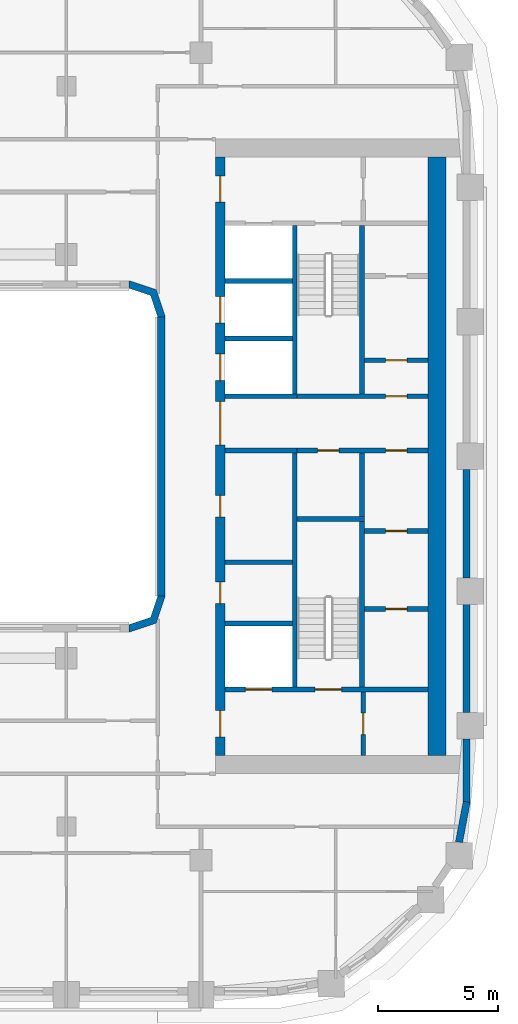
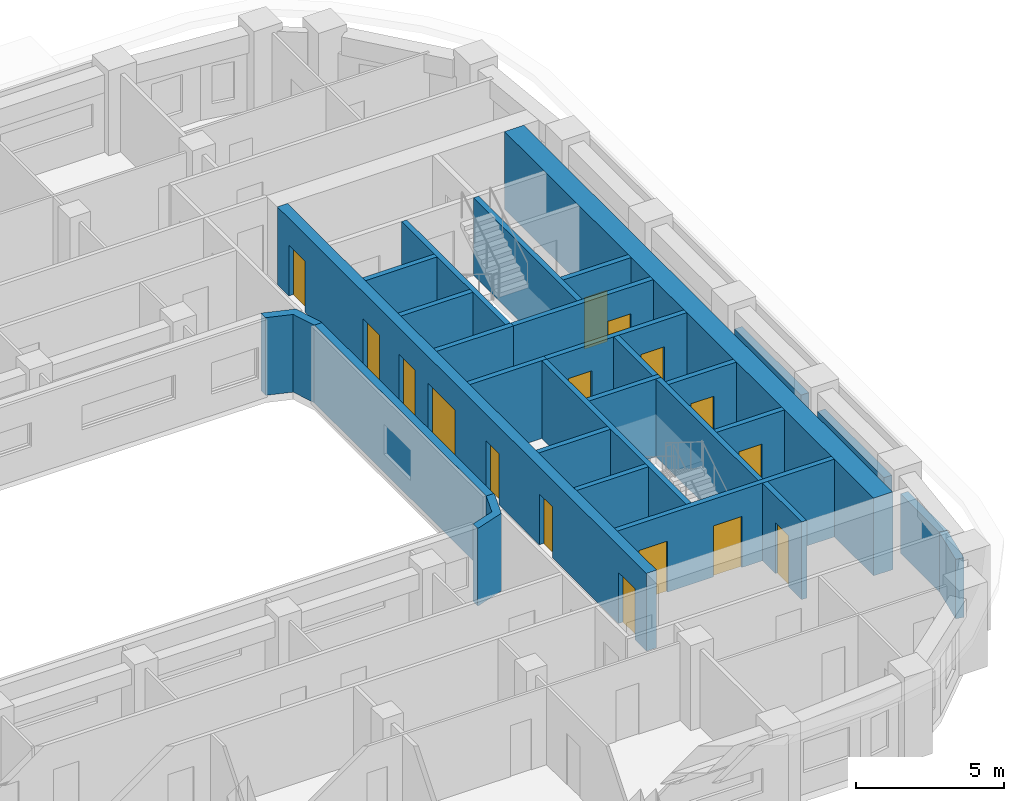
# One storey, part 6 of 22: 28 walls, 16 doors, 16 openings.
"""IFC4 building model written with IfcOpenShell, lengths in metres."""

from ifc_helpers import new_model, si_unit, direction, frame, frame_2d, origin, place, context, subcontext, project, spatial, polyline, rectangle, outline, extrude, material, layer, layer_set, type_object, element, fill, save


model = new_model("IFC4")

# Units and contexts
model_context = context("Model", 3, precision=1e-05, world=origin(), true_north=direction((0.0, 1.0)))
body_context = subcontext(model_context, "Body", "Model", "MODEL_VIEW")
ifc_project = project(units=[si_unit("LENGTHUNIT", "METRE"), si_unit("AREAUNIT", "SQUARE_METRE"), si_unit("VOLUMEUNIT", "CUBIC_METRE"), si_unit("PLANEANGLEUNIT", "RADIAN"), si_unit("MASSUNIT", "GRAM", prefix="KILO")], contexts=[model_context])

# Site, building, storey
site_placement = place(None, origin())
site = spatial("IfcSite", under=ifc_project, at=site_placement, CompositionType="ELEMENT")
building_placement = place(site_placement, origin())
building = spatial("IfcBuilding", under=site, at=building_placement, Name="Kiln Ring Residences", CompositionType="ELEMENT")
storey_placement = place(building_placement, frame((0.0, 0.0, 146.60009765625)))
storey = spatial("IfcBuildingStorey", under=building, at=storey_placement, Name="L37", CompositionType="ELEMENT", Elevation=146.60009765625)

# Wall
ifc_material_1 = material(Name="Gypsum board on steel studs", Category="steel")
ifc_layer_1 = layer(ifc_material_1, 0.199951171875)
ifc_layer_set_1 = layer_set([ifc_layer_1], Name="CORE-PARTITION-200")
wall_type_1 = type_object("IfcWallType", Name="CORE-PARTITION-200", PredefinedType="PARTITIONING", material=ifc_layer_set_1)
wall_1_placement = place(storey_placement, frame((23.5, -2.5, 0.0), z_axis=(0.0, 0.0, 1.0), x_axis=(0.0, 1.0, 0.0)))
element("IfcWall", 1, at=wall_1_placement, inside=storey, type_object=wall_type_1, Name="Core partition east L37 1", PredefinedType="PARTITIONING", context=body_context, shape_type="SweptSolid", body=[
    extrude(rectangle(XDim=2.64990234375, YDim=0.199951171875, at=frame_2d((1.324951171875, 0.0))), origin(), (0.0, 0.0, 1.0), 3.199951171875),
])

# Wall, openings, doors
wall_2_placement = place(storey_placement, frame((20.800048828125, 0.25, 0.0), z_axis=(0.0, 0.0, 1.0), x_axis=(1.0, 0.0, 0.0)))
wall_2 = element("IfcWall", 2, at=wall_2_placement, inside=storey, type_object=wall_type_1, Name="Core partition east L37 2", PredefinedType="PARTITIONING", context=body_context, shape_type="SweptSolid", body=[
    extrude(rectangle(XDim=5.449951171875, YDim=0.199951171875, at=frame_2d((2.72509765625, 0.0))), origin(), (0.0, 0.0, 1.0), 3.199951171875),
])
opening_1_placement = place(wall_2_placement, frame((0.85009765625, 0.0, 0.0)))
opening_1 = element("IfcOpeningElement", 3, at=opening_1_placement, cuts=wall_2, Name="Opening L37-CE14", PredefinedType="OPENING", context=body_context, shape_type="SweptSolid", body=[
    extrude(rectangle(XDim=0.89990234375, YDim=2.10009765625, at=frame_2d((0.449951171875, 1.050048828125))), frame((0.0, 0.10986328125, 0.0), z_axis=(0.0, -1.0, 0.0), x_axis=(1.0, 0.0, 0.0)), (0.0, 0.0, 1.0), 0.219970703125),
])
opening_2_placement = place(wall_2_placement, frame((3.675048828125, 0.0, 0.0)))
opening_2 = element("IfcOpeningElement", 4, at=opening_2_placement, cuts=wall_2, Name="Opening L37-CE17", PredefinedType="OPENING", context=body_context, shape_type="SweptSolid", body=[
    extrude(rectangle(XDim=0.89990234375, YDim=2.10009765625, at=frame_2d((0.449951171875, 1.050048828125))), frame((0.0, 0.10986328125, 0.0), z_axis=(0.0, -1.0, 0.0), x_axis=(1.0, 0.0, 0.0)), (0.0, 0.0, 1.0), 0.219970703125),
])
ifc_material_2 = material(Name="Steel door leaf", Category="steel")
door_type_1 = type_object("IfcDoorType", Name="CORE-DOOR-ROOM", OperationType="SINGLE_SWING_LEFT", PredefinedType="DOOR", material=ifc_material_2)
door_1_placement = place(opening_1_placement, origin())
door_1 = element("IfcDoor", 5, at=door_1_placement, inside=storey, type_object=door_type_1, Name="Electrical riser room L37-CE14", OperationType="SINGLE_SWING_LEFT", OverallHeight=2.10009765625, OverallWidth=0.89990234375, PredefinedType="DOOR", context=body_context, shape_type="SweptSolid", body=[
    extrude(rectangle(XDim=0.89990234375, YDim=2.10009765625, at=frame_2d((0.449951171875, 1.050048828125))), frame((0.0, 0.02490234375, 0.0), z_axis=(0.0, -1.0, 0.0), x_axis=(1.0, 0.0, 0.0)), (0.0, 0.0, 1.0), 0.050048828125),
])
fill(opening_1, door_1)
door_2_placement = place(opening_2_placement, origin())
door_2 = element("IfcDoor", 6, at=door_2_placement, inside=storey, type_object=door_type_1, Name="Plant room L37-CE17", OperationType="SINGLE_SWING_RIGHT", OverallHeight=2.10009765625, OverallWidth=0.89990234375, PredefinedType="DOOR", context=body_context, shape_type="SweptSolid", body=[
    extrude(rectangle(XDim=0.89990234375, YDim=2.10009765625, at=frame_2d((0.449951171875, 1.050048828125))), frame((0.0, 0.02490234375, 0.0), z_axis=(0.0, -1.0, 0.0), x_axis=(1.0, 0.0, 0.0)), (0.0, 0.0, 1.0), 0.050048828125),
])
fill(opening_2, door_2)

# Wall
wall_3_placement = place(storey_placement, frame((17.800048828125, -4.39990234375, 0.0), z_axis=(0.0, 0.0, 1.0), x_axis=(1.0, 0.0, 0.0)))
element("IfcWall", 7, at=wall_3_placement, inside=storey, type_object=wall_type_1, Name="Core partition east L37 3", PredefinedType="PARTITIONING", context=body_context, shape_type="SweptSolid", body=[
    extrude(rectangle(XDim=2.800048828125, YDim=0.199951171875, at=frame_2d((1.39990234375, 0.0))), origin(), (0.0, 0.0, 1.0), 3.199951171875),
])

# Wall, opening, door
wall_4_placement = place(storey_placement, frame((23.550048828125, -12.449951171875, 0.0), z_axis=(0.0, 0.0, 1.0), x_axis=(0.0, 1.0, 0.0)))
wall_4 = element("IfcWall", 8, at=wall_4_placement, inside=storey, type_object=wall_type_1, Name="Core partition east L37 5", PredefinedType="PARTITIONING", context=body_context, shape_type="SweptSolid", body=[
    extrude(rectangle(XDim=2.64990234375, YDim=0.199951171875, at=frame_2d((1.324951171875, 0.0))), origin(), (0.0, 0.0, 1.0), 3.199951171875),
])
opening_3_placement = place(wall_4_placement, frame((0.875, 0.0, 0.0)))
opening_3 = element("IfcOpeningElement", 9, at=opening_3_placement, cuts=wall_4, Name="Opening L37-CE10", PredefinedType="OPENING", context=body_context, shape_type="SweptSolid", body=[
    extrude(rectangle(XDim=0.89990234375, YDim=2.10009765625, at=frame_2d((0.449951171875, 1.050048828125))), frame((0.0, 0.10986328125, 0.0), z_axis=(0.0, -1.0, 0.0), x_axis=(1.0, 0.0, 0.0)), (0.0, 0.0, 1.0), 0.219970703125),
])
door_3_placement = place(opening_3_placement, origin())
door_3 = element("IfcDoor", 10, at=door_3_placement, inside=storey, type_object=door_type_1, Name="Store L37-CE10", OperationType="SINGLE_SWING_LEFT", OverallHeight=2.10009765625, OverallWidth=0.89990234375, PredefinedType="DOOR", context=body_context, shape_type="SweptSolid", body=[
    extrude(rectangle(XDim=0.89990234375, YDim=2.10009765625, at=frame_2d((0.449951171875, 1.050048828125))), frame((0.0, 0.02490234375, 0.0), z_axis=(0.0, -1.0, 0.0), x_axis=(1.0, 0.0, 0.0)), (0.0, 0.0, 1.0), 0.050048828125),
])
fill(opening_3, door_3)

wall_5_placement = place(storey_placement, frame((23.60009765625, -6.35009765625, 0.0), z_axis=(0.0, 0.0, 1.0), x_axis=(1.0, 0.0, 0.0)))
wall_5 = element("IfcWall", 11, at=wall_5_placement, inside=storey, type_object=wall_type_1, Name="Core partition east L37 6", PredefinedType="PARTITIONING", context=body_context, shape_type="SweptSolid", body=[
    extrude(rectangle(XDim=2.64990234375, YDim=0.199951171875, at=frame_2d((1.324951171875, 0.0))), origin(), (0.0, 0.0, 1.0), 3.199951171875),
])
opening_4_placement = place(wall_5_placement, frame((0.875, 0.0, 0.0)))
opening_4 = element("IfcOpeningElement", 12, at=opening_4_placement, cuts=wall_5, Name="Opening L37-CE15", PredefinedType="OPENING", context=body_context, shape_type="SweptSolid", body=[
    extrude(rectangle(XDim=0.89990234375, YDim=2.10009765625, at=frame_2d((0.449951171875, 1.050048828125))), frame((0.0, 0.10986328125, 0.0), z_axis=(0.0, -1.0, 0.0), x_axis=(1.0, 0.0, 0.0)), (0.0, 0.0, 1.0), 0.219970703125),
])
door_4_placement = place(opening_4_placement, origin())
door_4 = element("IfcDoor", 13, at=door_4_placement, inside=storey, type_object=door_type_1, Name="Meter room L37-CE15", OperationType="SINGLE_SWING_LEFT", OverallHeight=2.10009765625, OverallWidth=0.89990234375, PredefinedType="DOOR", context=body_context, shape_type="SweptSolid", body=[
    extrude(rectangle(XDim=0.89990234375, YDim=2.10009765625, at=frame_2d((0.449951171875, 1.050048828125))), frame((0.0, 0.02490234375, 0.0), z_axis=(0.0, -1.0, 0.0), x_axis=(1.0, 0.0, 0.0)), (0.0, 0.0, 1.0), 0.050048828125),
])
fill(opening_4, door_4)

wall_6_placement = place(storey_placement, frame((23.60009765625, -3.10009765625, 0.0), z_axis=(0.0, 0.0, 1.0), x_axis=(1.0, 0.0, 0.0)))
wall_6 = element("IfcWall", 14, at=wall_6_placement, inside=storey, type_object=wall_type_1, Name="Core partition east L37 7", PredefinedType="PARTITIONING", context=body_context, shape_type="SweptSolid", body=[
    extrude(rectangle(XDim=2.64990234375, YDim=0.199951171875, at=frame_2d((1.324951171875, 0.0))), origin(), (0.0, 0.0, 1.0), 3.199951171875),
])
opening_5_placement = place(wall_6_placement, frame((0.875, 0.0, 0.0)))
opening_5 = element("IfcOpeningElement", 15, at=opening_5_placement, cuts=wall_6, Name="Opening L37-CE16", PredefinedType="OPENING", context=body_context, shape_type="SweptSolid", body=[
    extrude(rectangle(XDim=0.89990234375, YDim=2.10009765625, at=frame_2d((0.449951171875, 1.050048828125))), frame((0.0, 0.10986328125, 0.0), z_axis=(0.0, -1.0, 0.0), x_axis=(1.0, 0.0, 0.0)), (0.0, 0.0, 1.0), 0.219970703125),
])
door_5_placement = place(opening_5_placement, origin())
door_5 = element("IfcDoor", 16, at=door_5_placement, inside=storey, type_object=door_type_1, Name="Plant room L37-CE16", OperationType="SINGLE_SWING_RIGHT", OverallHeight=2.10009765625, OverallWidth=0.89990234375, PredefinedType="DOOR", context=body_context, shape_type="SweptSolid", body=[
    extrude(rectangle(XDim=0.89990234375, YDim=2.10009765625, at=frame_2d((0.449951171875, 1.050048828125))), frame((0.0, 0.02490234375, 0.0), z_axis=(0.0, -1.0, 0.0), x_axis=(1.0, 0.0, 0.0)), (0.0, 0.0, 1.0), 0.050048828125),
])
fill(opening_5, door_5)

wall_7_placement = place(storey_placement, frame((23.60009765625, 4.0, 0.0), z_axis=(0.0, 0.0, 1.0), x_axis=(1.0, 0.0, 0.0)))
wall_7 = element("IfcWall", 17, at=wall_7_placement, inside=storey, type_object=wall_type_1, Name="Core partition east L37 8", PredefinedType="PARTITIONING", context=body_context, shape_type="SweptSolid", body=[
    extrude(rectangle(XDim=2.64990234375, YDim=0.199951171875, at=frame_2d((1.324951171875, 0.0))), origin(), (0.0, 0.0, 1.0), 3.199951171875),
])
opening_6_placement = place(wall_7_placement, frame((0.875, 0.0, 0.0)))
opening_6 = element("IfcOpeningElement", 18, at=opening_6_placement, cuts=wall_7, Name="Opening L37-CE18", PredefinedType="OPENING", context=body_context, shape_type="SweptSolid", body=[
    extrude(rectangle(XDim=0.89990234375, YDim=2.10009765625, at=frame_2d((0.449951171875, 1.050048828125))), frame((0.0, 0.10986328125, 0.0), z_axis=(0.0, -1.0, 0.0), x_axis=(1.0, 0.0, 0.0)), (0.0, 0.0, 1.0), 0.219970703125),
])
door_6_placement = place(opening_6_placement, origin())
door_6 = element("IfcDoor", 19, at=door_6_placement, inside=storey, type_object=door_type_1, Name="Electrical plant room L37-CE18", OperationType="SINGLE_SWING_RIGHT", OverallHeight=2.10009765625, OverallWidth=0.89990234375, PredefinedType="DOOR", context=body_context, shape_type="SweptSolid", body=[
    extrude(rectangle(XDim=0.89990234375, YDim=2.10009765625, at=frame_2d((0.449951171875, 1.050048828125))), frame((0.0, 0.02490234375, 0.0), z_axis=(0.0, -1.0, 0.0), x_axis=(1.0, 0.0, 0.0)), (0.0, 0.0, 1.0), 0.050048828125),
])
fill(opening_6, door_6)

# Walls
ifc_material_3 = material(Name="Gypsum shaft wall system")
ifc_layer_2 = layer(ifc_material_3, 0.199951171875)
ifc_layer_set_2 = layer_set([ifc_layer_2], Name="CORE-SHAFT-WALL-200")
wall_type_2 = type_object("IfcWallType", Name="CORE-SHAFT-WALL-200", PredefinedType="PARTITIONING", material=ifc_layer_set_2)
wall_8_placement = place(storey_placement, frame((17.800048828125, -6.949951171875, 0.0), z_axis=(0.0, 0.0, 1.0), x_axis=(1.0, 0.0, 0.0)))
element("IfcWall", 20, at=wall_8_placement, inside=storey, type_object=wall_type_2, Name="Core partition east L37 10", PredefinedType="PARTITIONING", context=body_context, shape_type="SweptSolid", body=[
    extrude(rectangle(XDim=2.800048828125, YDim=0.199951171875, at=frame_2d((1.39990234375, 0.0))), origin(), (0.0, 0.0, 1.0), 3.199951171875),
])
for number, where, z_axis, x_axis, name in (
    (21, (17.800048828125, 0.25, 0.0), (0.0, 0.0, 1.0), (1.0, 0.0, 0.0), "Core partition east L37 11"),
    (22, (17.800048828125, 2.5, 0.0), (0.0, 0.0, 1.0), (1.0, 0.0, 0.0), "Core partition east L37 12"),
):
    element("IfcWall", number, at=place(storey_placement, frame(where, z_axis=z_axis, x_axis=x_axis)), inside=storey, type_object=wall_type_2, Name=name, PredefinedType="PARTITIONING", context=body_context, shape_type="SweptSolid", body=[
        extrude(rectangle(XDim=3.0, YDim=0.199951171875, at=frame_2d((1.5, 0.0))), origin(), (0.0, 0.0, 1.0), 3.199951171875),
    ])
for number, where, z_axis, x_axis, name in (
    (23, (17.800048828125, 4.89990234375, 0.0), (0.0, 0.0, 1.0), (1.0, 0.0, 0.0), "Core partition east L37 13"),
    (24, (17.800048828125, 7.300048828125, 0.0), (0.0, 0.0, 1.0), (1.0, 0.0, 0.0), "Core partition east L37 14"),
):
    element("IfcWall", number, at=place(storey_placement, frame(where, z_axis=z_axis, x_axis=x_axis)), inside=storey, type_object=wall_type_2, Name=name, PredefinedType="PARTITIONING", context=body_context, shape_type="SweptSolid", body=[
        extrude(rectangle(XDim=2.800048828125, YDim=0.199951171875, at=frame_2d((1.39990234375, 0.0))), origin(), (0.0, 0.0, 1.0), 3.199951171875),
    ])
ifc_material_4 = material(Name="Concrete C40/50", Category="concrete")
ifc_layer_3 = layer(ifc_material_4, 0.199951171875)
ifc_layer_set_3 = layer_set([ifc_layer_3], Name="CORE-WALL-RC200")
wall_type_3 = type_object("IfcWallType", Name="CORE-WALL-RC200", PredefinedType="SHEAR", material=ifc_layer_set_3)
wall_9_placement = place(storey_placement, frame((20.699951171875, 2.60009765625, 0.0), z_axis=(0.0, 0.0, 1.0), x_axis=(0.0, 1.0, 0.0)))
element("IfcWall", 25, at=wall_9_placement, inside=storey, type_object=wall_type_3, Name="Core wall east L37 1", PredefinedType="SHEAR", context=body_context, shape_type="SweptSolid", body=[
    extrude(rectangle(XDim=7.0, YDim=0.199951171875, at=frame_2d((3.5, 0.0))), origin(), (0.0, 0.0, 1.0), 3.199951171875),
])
wall_10_placement = place(storey_placement, frame((20.699951171875, -9.60009765625, 0.0), z_axis=(0.0, 0.0, 1.0), x_axis=(0.0, 1.0, 0.0)))
element("IfcWall", 26, at=wall_10_placement, inside=storey, type_object=wall_type_3, Name="Core wall east L37 2", PredefinedType="SHEAR", context=body_context, shape_type="SweptSolid", body=[
    extrude(rectangle(XDim=9.75, YDim=0.199951171875, at=frame_2d((4.875, 0.0))), origin(), (0.0, 0.0, 1.0), 3.199951171875),
])

# Wall, opening, door
wall_11_placement = place(storey_placement, frame((20.800048828125, 2.5, 0.0), z_axis=(0.0, 0.0, 1.0), x_axis=(1.0, 0.0, 0.0)))
wall_11 = element("IfcWall", 27, at=wall_11_placement, inside=storey, type_object=wall_type_3, Name="Core wall east L37 3", PredefinedType="SHEAR", context=body_context, shape_type="SweptSolid", body=[
    extrude(rectangle(XDim=5.449951171875, YDim=0.199951171875, at=frame_2d((2.72509765625, 0.0))), origin(), (0.0, 0.0, 1.0), 3.199951171875),
])
opening_7_placement = place(wall_11_placement, frame((3.675048828125, 0.0, 0.0)))
opening_7 = element("IfcOpeningElement", 28, at=opening_7_placement, cuts=wall_11, Name="Opening L37-CE20", PredefinedType="OPENING", context=body_context, shape_type="SweptSolid", body=[
    extrude(rectangle(XDim=0.89990234375, YDim=2.10009765625, at=frame_2d((0.449951171875, 1.050048828125))), frame((0.0, 0.10986328125, 0.0), z_axis=(0.0, -1.0, 0.0), x_axis=(1.0, 0.0, 0.0)), (0.0, 0.0, 1.0), 0.219970703125),
])
door_7_placement = place(opening_7_placement, origin())
door_7 = element("IfcDoor", 29, at=door_7_placement, inside=storey, type_object=door_type_1, Name="Comms room L37-CE20", OperationType="SINGLE_SWING_RIGHT", OverallHeight=2.10009765625, OverallWidth=0.89990234375, PredefinedType="DOOR", context=body_context, shape_type="SweptSolid", body=[
    extrude(rectangle(XDim=0.89990234375, YDim=2.10009765625, at=frame_2d((0.449951171875, 1.050048828125))), frame((0.0, 0.02490234375, 0.0), z_axis=(0.0, -1.0, 0.0), x_axis=(1.0, 0.0, 0.0)), (0.0, 0.0, 1.0), 0.050048828125),
])
fill(opening_7, door_7)

# Wall, openings, doors
wall_12_placement = place(storey_placement, frame((17.800048828125, -9.699951171875, 0.0), z_axis=(0.0, 0.0, 1.0), x_axis=(1.0, 0.0, 0.0)))
wall_12 = element("IfcWall", 30, at=wall_12_placement, inside=storey, type_object=wall_type_3, Name="Core wall east L37 8", PredefinedType="SHEAR", context=body_context, shape_type="SweptSolid", body=[
    extrude(rectangle(XDim=8.449951171875, YDim=0.199951171875, at=frame_2d((4.22509765625, 0.0))), origin(), (0.0, 0.0, 1.0), 3.199951171875),
])
opening_8_placement = place(wall_12_placement, frame((0.85009765625, 0.0, 0.0)))
opening_8 = element("IfcOpeningElement", 31, at=opening_8_placement, cuts=wall_12, Name="Opening L37-CE01", PredefinedType="OPENING", context=body_context, shape_type="SweptSolid", body=[
    extrude(rectangle(XDim=1.10009765625, YDim=2.10009765625, at=frame_2d((0.550048828125, 1.050048828125))), frame((0.0, 0.10986328125, 0.0), z_axis=(0.0, -1.0, 0.0), x_axis=(1.0, 0.0, 0.0)), (0.0, 0.0, 1.0), 0.219970703125),
])
opening_9_placement = place(wall_12_placement, frame((3.75, 0.0, 0.0)))
opening_9 = element("IfcOpeningElement", 32, at=opening_9_placement, cuts=wall_12, Name="Opening L37-CE12", PredefinedType="OPENING", context=body_context, shape_type="SweptSolid", body=[
    extrude(rectangle(XDim=1.10009765625, YDim=2.10009765625, at=frame_2d((0.550048828125, 1.050048828125))), frame((0.0, 0.10986328125, 0.0), z_axis=(0.0, -1.0, 0.0), x_axis=(1.0, 0.0, 0.0)), (0.0, 0.0, 1.0), 0.219970703125),
])
ifc_material_5 = material(Name="Steel door leaf", Category="steel")
door_type_2 = type_object("IfcDoorType", Name="CORE-DOOR-LD", OperationType="DOUBLE_DOOR_SLIDING", PredefinedType="DOOR", material=ifc_material_5)
door_8_placement = place(opening_8_placement, origin())
door_8 = element("IfcDoor", 33, at=door_8_placement, inside=storey, type_object=door_type_2, Name="LD E-SV L37-CE01", OperationType="DOUBLE_DOOR_SLIDING", OverallHeight=2.10009765625, OverallWidth=1.10009765625, PredefinedType="DOOR", context=body_context, shape_type="SweptSolid", body=[
    extrude(rectangle(XDim=1.10009765625, YDim=2.10009765625, at=frame_2d((0.550048828125, 1.050048828125))), frame((0.0, 0.02490234375, 0.0), z_axis=(0.0, -1.0, 0.0), x_axis=(1.0, 0.0, 0.0)), (0.0, 0.0, 1.0), 0.050048828125),
])
fill(opening_8, door_8)
ifc_material_6 = material(Name="Steel door leaf", Category="steel")
door_type_3 = type_object("IfcDoorType", Name="CORE-DOOR-STAIR", OperationType="SINGLE_SWING_LEFT", PredefinedType="DOOR", material=ifc_material_6)
door_9_placement = place(opening_9_placement, origin())
door_9 = element("IfcDoor", 34, at=door_9_placement, inside=storey, type_object=door_type_3, Name="Stair E-STS L37-CE12", OperationType="SINGLE_SWING_RIGHT", OverallHeight=2.10009765625, OverallWidth=1.10009765625, PredefinedType="DOOR", context=body_context, shape_type="SweptSolid", body=[
    extrude(rectangle(XDim=1.10009765625, YDim=2.10009765625, at=frame_2d((0.550048828125, 1.050048828125))), frame((0.0, 0.02490234375, 0.0), z_axis=(0.0, -1.0, 0.0), x_axis=(1.0, 0.0, 0.0)), (0.0, 0.0, 1.0), 0.050048828125),
])
fill(opening_9, door_9)

# Walls
wall_13_placement = place(storey_placement, frame((23.5, 2.60009765625, 0.0), z_axis=(0.0, 0.0, 1.0), x_axis=(0.0, 1.0, 0.0)))
element("IfcWall", 35, at=wall_13_placement, inside=storey, type_object=wall_type_3, Name="Core wall east L37 10", PredefinedType="SHEAR", context=body_context, shape_type="SweptSolid", body=[
    extrude(rectangle(XDim=7.0, YDim=0.199951171875, at=frame_2d((3.5, 0.0))), origin(), (0.0, 0.0, 1.0), 3.199951171875),
])
wall_14_placement = place(storey_placement, frame((23.5, -9.60009765625, 0.0), z_axis=(0.0, 0.0, 1.0), x_axis=(0.0, 1.0, 0.0)))
element("IfcWall", 36, at=wall_14_placement, inside=storey, type_object=wall_type_3, Name="Core wall east L37 11", PredefinedType="SHEAR", context=body_context, shape_type="SweptSolid", body=[
    extrude(rectangle(XDim=6.900146484375, YDim=0.199951171875, at=frame_2d((3.4501953125, 0.0))), origin(), (0.0, 0.0, 1.0), 3.199951171875),
])
wall_15_placement = place(storey_placement, frame((20.800048828125, -2.60009765625, 0.0), z_axis=(0.0, 0.0, 1.0), x_axis=(1.0, 0.0, 0.0)))
element("IfcWall", 37, at=wall_15_placement, inside=storey, type_object=wall_type_3, Name="Core wall east L37 12", PredefinedType="SHEAR", context=body_context, shape_type="SweptSolid", body=[
    extrude(rectangle(XDim=2.800048828125, YDim=0.199951171875, at=frame_2d((1.39990234375, 0.0))), origin(), (0.0, 0.0, 1.0), 3.199951171875),
])

# Wall, openings, doors
ifc_material_7 = material(Name="Concrete C60/75", Category="concrete")
ifc_layer_4 = layer(ifc_material_7, 0.39990234375)
ifc_layer_set_4 = layer_set([ifc_layer_4], Name="CORE-WALL-RC400")
wall_type_4 = type_object("IfcWallType", Name="CORE-WALL-RC400", PredefinedType="SHEAR", material=ifc_layer_set_4)
wall_16_placement = place(storey_placement, frame((17.60009765625, -12.449951171875, 0.0), z_axis=(0.0, 0.0, 1.0), x_axis=(0.0, 1.0, 0.0)))
wall_16 = element("IfcWall", 38, at=wall_16_placement, inside=storey, type_object=wall_type_4, Name="Core wall east L37 6", PredefinedType="SHEAR", context=body_context, shape_type="SweptSolid", body=[
    extrude(rectangle(XDim=24.89990234375, YDim=0.39990234375, at=frame_2d((12.449951171875, 0.0))), origin(), (0.0, 0.0, 1.0), 3.199951171875),
])
opening_10_placement = place(wall_16_placement, frame((6.324951171875, 0.0, 0.0)))
opening_10 = element("IfcOpeningElement", 39, at=opening_10_placement, cuts=wall_16, Name="Opening L37-CE02", PredefinedType="OPENING", context=body_context, shape_type="SweptSolid", body=[
    extrude(rectangle(XDim=0.89990234375, YDim=2.10009765625, at=frame_2d((0.449951171875, 1.050048828125))), frame((0.0, 0.2099609375, 0.0), z_axis=(0.0, -1.0, 0.0), x_axis=(1.0, 0.0, 0.0)), (0.0, 0.0, 1.0), 0.419921875),
])
opening_11_placement = place(wall_16_placement, frame((9.925048828125, 0.0, 0.0)))
opening_11 = element("IfcOpeningElement", 40, at=opening_11_placement, cuts=wall_16, Name="Opening L37-CE03", PredefinedType="OPENING", context=body_context, shape_type="SweptSolid", body=[
    extrude(rectangle(XDim=0.89990234375, YDim=2.10009765625, at=frame_2d((0.449951171875, 1.050048828125))), frame((0.0, 0.2099609375, 0.0), z_axis=(0.0, -1.0, 0.0), x_axis=(1.0, 0.0, 0.0)), (0.0, 0.0, 1.0), 0.419921875),
])
opening_12_placement = place(wall_16_placement, frame((15.60009765625, 0.0, 0.0)))
opening_12 = element("IfcOpeningElement", 41, at=opening_12_placement, cuts=wall_16, Name="Opening L37-CE04", PredefinedType="OPENING", context=body_context, shape_type="SweptSolid", body=[
    extrude(rectangle(XDim=1.10009765625, YDim=2.10009765625, at=frame_2d((0.550048828125, 1.050048828125))), frame((0.0, 0.2099609375, 0.0), z_axis=(0.0, -1.0, 0.0), x_axis=(1.0, 0.0, 0.0)), (0.0, 0.0, 1.0), 0.419921875),
])
opening_13_placement = place(wall_16_placement, frame((18.0, 0.0, 0.0)))
opening_13 = element("IfcOpeningElement", 42, at=opening_13_placement, cuts=wall_16, Name="Opening L37-CE05", PredefinedType="OPENING", context=body_context, shape_type="SweptSolid", body=[
    extrude(rectangle(XDim=1.10009765625, YDim=2.10009765625, at=frame_2d((0.550048828125, 1.050048828125))), frame((0.0, 0.2099609375, 0.0), z_axis=(0.0, -1.0, 0.0), x_axis=(1.0, 0.0, 0.0)), (0.0, 0.0, 1.0), 0.419921875),
])
opening_14_placement = place(wall_16_placement, frame((23.02490234375, 0.0, 0.0)))
opening_14 = element("IfcOpeningElement", 43, at=opening_14_placement, cuts=wall_16, Name="Opening L37-CE07", PredefinedType="OPENING", context=body_context, shape_type="SweptSolid", body=[
    extrude(rectangle(XDim=1.10009765625, YDim=2.10009765625, at=frame_2d((0.550048828125, 1.050048828125))), frame((0.0, 0.2099609375, 0.0), z_axis=(0.0, -1.0, 0.0), x_axis=(1.0, 0.0, 0.0)), (0.0, 0.0, 1.0), 0.419921875),
])
opening_15_placement = place(wall_16_placement, frame((0.77490234375, 0.0, 0.0)))
opening_15 = element("IfcOpeningElement", 44, at=opening_15_placement, cuts=wall_16, Name="Opening L37-CE08", PredefinedType="OPENING", context=body_context, shape_type="SweptSolid", body=[
    extrude(rectangle(XDim=1.10009765625, YDim=2.10009765625, at=frame_2d((0.550048828125, 1.050048828125))), frame((0.0, 0.2099609375, 0.0), z_axis=(0.0, -1.0, 0.0), x_axis=(1.0, 0.0, 0.0)), (0.0, 0.0, 1.0), 0.419921875),
])
opening_16_placement = place(wall_16_placement, frame((12.925048828125, 0.0, 0.0)))
opening_16 = element("IfcOpeningElement", 45, at=opening_16_placement, cuts=wall_16, Name="Opening L37-CE13", PredefinedType="OPENING", context=body_context, shape_type="SweptSolid", body=[
    extrude(rectangle(XDim=1.800048828125, YDim=2.10009765625, at=frame_2d((0.89990234375, 1.050048828125))), frame((0.0, 0.2099609375, 0.0), z_axis=(0.0, -1.0, 0.0), x_axis=(1.0, 0.0, 0.0)), (0.0, 0.0, 1.0), 0.419921875),
])
door_10_placement = place(opening_12_placement, origin())
door_10 = element("IfcDoor", 46, at=door_10_placement, inside=storey, type_object=door_type_2, Name="LD E-M1 L37-CE04", OperationType="DOUBLE_DOOR_SLIDING", OverallHeight=2.10009765625, OverallWidth=1.10009765625, PredefinedType="DOOR", context=body_context, shape_type="SweptSolid", body=[
    extrude(rectangle(XDim=1.10009765625, YDim=2.10009765625, at=frame_2d((0.550048828125, 1.050048828125))), frame((0.0, 0.02490234375, 0.0), z_axis=(0.0, -1.0, 0.0), x_axis=(1.0, 0.0, 0.0)), (0.0, 0.0, 1.0), 0.050048828125),
])
fill(opening_12, door_10)
door_11_placement = place(opening_13_placement, origin())
door_11 = element("IfcDoor", 47, at=door_11_placement, inside=storey, type_object=door_type_2, Name="LD E-M2 L37-CE05", OperationType="DOUBLE_DOOR_SLIDING", OverallHeight=2.10009765625, OverallWidth=1.10009765625, PredefinedType="DOOR", context=body_context, shape_type="SweptSolid", body=[
    extrude(rectangle(XDim=1.10009765625, YDim=2.10009765625, at=frame_2d((0.550048828125, 1.050048828125))), frame((0.0, 0.02490234375, 0.0), z_axis=(0.0, -1.0, 0.0), x_axis=(1.0, 0.0, 0.0)), (0.0, 0.0, 1.0), 0.050048828125),
])
fill(opening_13, door_11)
ifc_material_8 = material(Name="Steel door leaf", Category="steel")
door_type_4 = type_object("IfcDoorType", Name="CORE-DOOR-LOBBY", OperationType="SINGLE_SWING_LEFT", PredefinedType="DOOR", material=ifc_material_8)
door_12_placement = place(opening_14_placement, origin())
door_12 = element("IfcDoor", 48, at=door_12_placement, inside=storey, type_object=door_type_4, Name="FFL L37-CE07", OperationType="SINGLE_SWING_LEFT", OverallHeight=2.10009765625, OverallWidth=1.10009765625, PredefinedType="DOOR", context=body_context, shape_type="SweptSolid", body=[
    extrude(rectangle(XDim=1.10009765625, YDim=2.10009765625, at=frame_2d((0.550048828125, 1.050048828125))), frame((0.0, 0.02490234375, 0.0), z_axis=(0.0, -1.0, 0.0), x_axis=(1.0, 0.0, 0.0)), (0.0, 0.0, 1.0), 0.050048828125),
])
fill(opening_14, door_12)
door_13_placement = place(opening_15_placement, origin())
door_13 = element("IfcDoor", 49, at=door_13_placement, inside=storey, type_object=door_type_4, Name="SVL L37-CE08", OperationType="SINGLE_SWING_RIGHT", OverallHeight=2.10009765625, OverallWidth=1.10009765625, PredefinedType="DOOR", context=body_context, shape_type="SweptSolid", body=[
    extrude(rectangle(XDim=1.10009765625, YDim=2.10009765625, at=frame_2d((0.550048828125, 1.050048828125))), frame((0.0, 0.02490234375, 0.0), z_axis=(0.0, -1.0, 0.0), x_axis=(1.0, 0.0, 0.0)), (0.0, 0.0, 1.0), 0.050048828125),
])
fill(opening_15, door_13)
ifc_material_9 = material(Name="Steel door leaf", Category="steel")
door_type_5 = type_object("IfcDoorType", Name="CORE-DOOR-PASS", OperationType="DOUBLE_DOOR_SINGLE_SWING", PredefinedType="DOOR", material=ifc_material_9)
door_14_placement = place(opening_16_placement, origin())
door_14 = element("IfcDoor", 50, at=door_14_placement, inside=storey, type_object=door_type_5, Name="Core passage L37-CE13", OperationType="DOUBLE_DOOR_SINGLE_SWING", OverallHeight=2.10009765625, OverallWidth=1.800048828125, PredefinedType="DOOR", context=body_context, shape_type="SweptSolid", body=[
    extrude(rectangle(XDim=1.800048828125, YDim=2.10009765625, at=frame_2d((0.89990234375, 1.050048828125))), frame((0.0, 0.02490234375, 0.0), z_axis=(0.0, -1.0, 0.0), x_axis=(1.0, 0.0, 0.0)), (0.0, 0.0, 1.0), 0.050048828125),
])
fill(opening_16, door_14)
door_15_placement = place(opening_10_placement, origin())
door_15 = element("IfcDoor", 51, at=door_15_placement, inside=storey, type_object=door_type_1, Name="Goods store L37-CE02", OperationType="SINGLE_SWING_LEFT", OverallHeight=2.10009765625, OverallWidth=0.89990234375, PredefinedType="DOOR", context=body_context, shape_type="SweptSolid", body=[
    extrude(rectangle(XDim=0.89990234375, YDim=2.10009765625, at=frame_2d((0.449951171875, 1.050048828125))), frame((0.0, 0.02490234375, 0.0), z_axis=(0.0, -1.0, 0.0), x_axis=(1.0, 0.0, 0.0)), (0.0, 0.0, 1.0), 0.050048828125),
])
fill(opening_10, door_15)
door_16_placement = place(opening_11_placement, origin())
door_16 = element("IfcDoor", 52, at=door_16_placement, inside=storey, type_object=door_type_1, Name="Storage room L37-CE03", OperationType="SINGLE_SWING_RIGHT", OverallHeight=2.10009765625, OverallWidth=0.89990234375, PredefinedType="DOOR", context=body_context, shape_type="SweptSolid", body=[
    extrude(rectangle(XDim=0.89990234375, YDim=2.10009765625, at=frame_2d((0.449951171875, 1.050048828125))), frame((0.0, 0.02490234375, 0.0), z_axis=(0.0, -1.0, 0.0), x_axis=(1.0, 0.0, 0.0)), (0.0, 0.0, 1.0), 0.050048828125),
])
fill(opening_11, door_16)

# Walls
ifc_material_10 = material(Name="Concrete C60/75", Category="concrete")
ifc_layer_5 = layer(ifc_material_10, 0.75)
ifc_layer_set_5 = layer_set([ifc_layer_5], Name="CORE-WALL-RC750")
wall_type_5 = type_object("IfcWallType", Name="CORE-WALL-RC750", PredefinedType="SHEAR", material=ifc_layer_set_5)
wall_17_placement = place(storey_placement, frame((26.625, -12.449951171875, 0.0), z_axis=(0.0, 0.0, 1.0), x_axis=(0.0, 1.0, 0.0)))
element("IfcWall", 53, at=wall_17_placement, inside=storey, type_object=wall_type_5, Name="Core wall east L37 7", PredefinedType="SHEAR", context=body_context, shape_type="SweptSolid", body=[
    extrude(rectangle(XDim=24.89990234375, YDim=0.75, at=frame_2d((12.449951171875, 0.0))), origin(), (0.0, 0.0, 1.0), 3.199951171875),
])
ifc_material_11 = material(Name="Brick masonry, dark clay brick", Category="masonry")
ifc_layer_6 = layer(ifc_material_11, 0.300048828125)
ifc_layer_set_6 = layer_set([ifc_layer_6], Name="EW-300 BRICK WALL")
wall_type_6 = type_object("IfcWallType", Name="EW-300 BRICK WALL", PredefinedType="SOLIDWALL", material=ifc_layer_set_6)
wall_18_placement = place(storey_placement, frame((27.532958984375, -16.0478515625, 0.0), z_axis=(0.0, 0.0, 1.0), x_axis=(0.187302784601, 0.982302227871, 0.0)))
element("IfcWall", 54, at=wall_18_placement, inside=storey, type_object=wall_type_6, Name="Facade wall L37 16", PredefinedType="SOLIDWALL", context=body_context, shape_type="SweptSolid", body=[
    extrude(rectangle(XDim=1.706298828125, YDim=0.300048828125, at=frame_2d((0.85302734375, 0.0))), origin(), (0.0, 0.0, 1.0), 2.449951171875),
])
wall_19_placement = place(storey_placement, frame((27.85009765625, -14.39990234375, 0.0), z_axis=(0.0, 0.0, 1.0), x_axis=(0.0, 1.0, 0.0)))
element("IfcWall", 55, at=wall_19_placement, inside=storey, type_object=wall_type_6, Name="Facade wall L37 17", PredefinedType="SOLIDWALL", context=body_context, shape_type="SweptSolid", body=[
    extrude(rectangle(XDim=2.64990234375, YDim=0.300048828125, at=frame_2d((1.324951171875, 0.0))), origin(), (0.0, 0.0, 1.0), 2.449951171875),
])
for number, where, z_axis, x_axis, name in (
    (56, (27.85009765625, -10.64990234375, 0.0), (0.0, 0.0, 1.0), (0.0, 1.0, 0.0), "Facade wall L37 18"),
    (57, (27.85009765625, -5.050048828125, 0.0), (0.0, 0.0, 1.0), (0.0, 1.0, 0.0), "Facade wall L37 19"),
):
    element("IfcWall", number, at=place(storey_placement, frame(where, z_axis=z_axis, x_axis=x_axis)), inside=storey, type_object=wall_type_6, Name=name, PredefinedType="SOLIDWALL", context=body_context, shape_type="SweptSolid", body=[
        extrude(rectangle(XDim=4.5, YDim=0.300048828125, at=frame_2d((2.25, 0.0))), origin(), (0.0, 0.0, 1.0), 2.449951171875),
    ])
wall_20_placement = place(storey_placement, frame((15.14990234375, 5.800048828125, 0.0), z_axis=(0.0, 0.0, 1.0), x_axis=(0.0, -1.0, 0.0)))
element("IfcWall", 58, at=wall_20_placement, inside=storey, type_object=wall_type_6, Name="Facade wall L37 51", PredefinedType="SOLIDWALL", context=body_context, shape_type="SweptSolid", body=[
    extrude(rectangle(XDim=11.60009765625, YDim=0.300048828125, at=frame_2d((5.800048828125, 0.0))), origin(), (0.0, 0.0, 1.0), 3.199951171875),
])
placement = place(storey_placement, origin())
element("IfcWall", 59, at=placement, inside=storey, type_object=wall_type_6, Name="Corner wall L37 2", PredefinedType="SOLIDWALL", context=body_context, shape_type="SweptSolid", body=[
    extrude(outline(polyline([(14.937255859375, 6.937255859375), (13.8486328125, 7.300048828125), (13.800048828125, 7.300048828125), (13.800048828125, 7.0), (14.699951171875, 6.699951171875), (15.0, 5.800048828125), (15.300048828125, 5.800048828125), (15.300048828125, 5.8486328125), (14.937255859375, 6.937255859375)])), origin(), (0.0, 0.0, 1.0), 3.199951171875),
])
element("IfcWall", 60, at=placement, inside=storey, type_object=wall_type_6, Name="Corner wall L37 3", PredefinedType="SOLIDWALL", context=body_context, shape_type="SweptSolid", body=[
    extrude(outline(polyline([(14.937255859375, -6.937255859375), (15.300048828125, -5.8486328125), (15.300048828125, -5.800048828125), (15.0, -5.800048828125), (14.699951171875, -6.699951171875), (13.800048828125, -7.0), (13.800048828125, -7.300048828125), (13.8486328125, -7.300048828125), (14.937255859375, -6.937255859375)])), origin(), (0.0, 0.0, 1.0), 3.199951171875),
])

save(model, "model.ifc")
